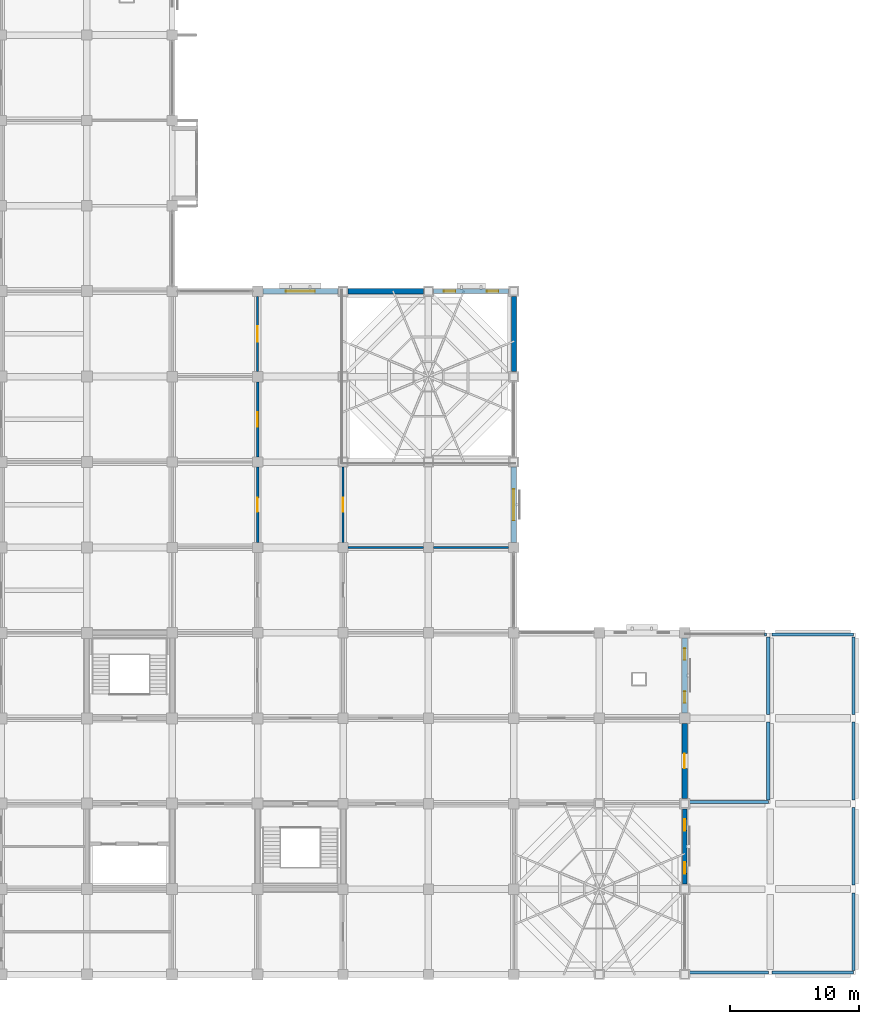
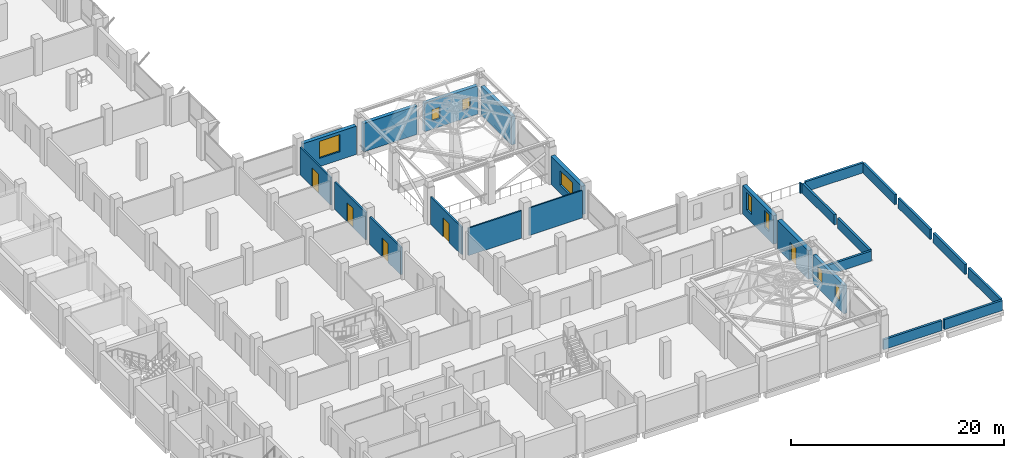
# One storey, part 17 of 25: 25 walls, 8 windows, 5 doors, 13 openings.
"""IFC4 building model written with IfcOpenShell, lengths in metres."""

from ifc_helpers import new_model, si_unit, direction, frame, frame_2d, origin, place, context, subcontext, project, spatial, rectangle, extrude, material, layer, layer_set, type_object, element, fill, save


model = new_model("IFC4")

# Units and contexts
model_context = context("Model", 3, precision=1e-05, world=origin(), true_north=direction((0.0, 1.0)))
body_context = subcontext(model_context, "Body", "Model", "MODEL_VIEW")
ifc_project = project(units=[si_unit("LENGTHUNIT", "METRE"), si_unit("AREAUNIT", "SQUARE_METRE"), si_unit("VOLUMEUNIT", "CUBIC_METRE"), si_unit("PLANEANGLEUNIT", "RADIAN"), si_unit("MASSUNIT", "GRAM", prefix="KILO")], contexts=[model_context])

# Site, building, storey
site_placement = place(None, origin())
site = spatial("IfcSite", under=ifc_project, at=site_placement, CompositionType="ELEMENT")
building_placement = place(site_placement, origin())
building = spatial("IfcBuilding", under=site, at=building_placement, Name="Rusizi Kubbe Research Institute", CompositionType="ELEMENT")
storey_placement = place(building_placement, frame((0.0, 0.0, 14.39990234375)))
storey = spatial("IfcBuildingStorey", under=building, at=storey_placement, Name="L03", CompositionType="ELEMENT", Elevation=14.39990234375)

# Wall, opening, door
ifc_material_1 = material(Name="Volcanic Basalt Ashlar Masonry", Category="masonry")
ifc_layer_1 = layer(ifc_material_1, 0.43994140625)
ifc_layer_set_1 = layer_set([ifc_layer_1], Name="Volcanic Basalt Ashlar Masonry")
wall_type_1 = type_object("IfcWallType", Name="EW-01", PredefinedType="SOLIDWALL", material=ifc_layer_set_1)
wall_1_placement = place(storey_placement, frame((66.0, 13.60009765625, 0.0), z_axis=(0.0, 0.0, 1.0), x_axis=(0.0, 1.0, 0.0)))
wall_1 = element("IfcWall", 1, at=wall_1_placement, inside=storey, type_object=wall_type_1, Name="Terrace Access Wall L03 V10-2", PredefinedType="SOLIDWALL", context=body_context, shape_type="SweptSolid", body=[
    extrude(rectangle(XDim=5.7998046875, YDim=0.43994140625, at=frame_2d((2.89990234375, 0.0))), origin(), (0.0, 0.0, 1.0), 3.260009765625),
])
opening_1_placement = place(wall_1_placement, frame((2.324951171875, 0.0, 0.0)))
opening_1 = element("IfcOpeningElement", 2, at=opening_1_placement, cuts=wall_1, Name="Opening D-39", PredefinedType="OPENING", context=body_context, shape_type="SweptSolid", body=[
    extrude(rectangle(XDim=1.14990234375, YDim=2.14990234375, at=frame_2d((0.574951171875, 1.074951171875))), frame((0.0, 0.22998046875, 0.0), z_axis=(0.0, -1.0, 0.0), x_axis=(1.0, 0.0, 0.0)), (0.0, 0.0, 1.0), 0.4599609375),
])
ifc_material_2 = material(Name="Insulated Steel and Laminated Safety Glass", Category="steel")
door_type_1 = type_object("IfcDoorType", Name="ED-09", OperationType="NOTDEFINED", PredefinedType="DOOR", material=ifc_material_2)
door_1_placement = place(opening_1_placement, origin())
door_1 = element("IfcDoor", 3, at=door_1_placement, inside=storey, type_object=door_type_1, Name="Roof Terrace Door L03-T04", OperationType="SINGLE_SWING_LEFT", OverallHeight=2.14990234375, OverallWidth=1.14990234375, PredefinedType="DOOR", context=body_context, shape_type="SweptSolid", body=[
    extrude(rectangle(XDim=1.14990234375, YDim=2.14990234375, at=frame_2d((0.574951171875, 1.074951171875))), frame((0.0, 0.02490234375, 0.0), z_axis=(0.0, -1.0, 0.0), x_axis=(1.0, 0.0, 0.0)), (0.0, 0.0, 1.0), 0.050048828125),
])
fill(opening_1, door_1)

# Wall, opening, window
ifc_material_3 = material(Name="Volcanic Basalt Ashlar Masonry", Category="masonry")
ifc_layer_2 = layer(ifc_material_3, 0.419921875)
ifc_layer_set_2 = layer_set([ifc_layer_2], Name="Volcanic Basalt Ashlar Masonry")
wall_type_2 = type_object("IfcWallType", Name="EW-02", PredefinedType="SOLIDWALL", material=ifc_layer_set_2)
wall_2_placement = place(storey_placement, frame((33.39990234375, 52.800048828125, 0.0), z_axis=(0.0, 0.0, 1.0), x_axis=(1.0, 0.0, 0.0)))
wall_2 = element("IfcWall", 4, at=wall_2_placement, inside=storey, type_object=wall_type_2, Name="Ablaq Stone Exterior Wall L03 H5-8", PredefinedType="SOLIDWALL", context=body_context, shape_type="SweptSolid", body=[
    extrude(rectangle(XDim=5.800048828125, YDim=0.419921875, at=frame_2d((2.89990234375, 0.0))), origin(), (0.0, 0.0, 1.0), 3.260009765625),
])
opening_2_placement = place(wall_2_placement, frame((1.780029296875, 0.0, 0.949951171875)))
opening_2 = element("IfcOpeningElement", 5, at=opening_2_placement, cuts=wall_2, Name="Opening WN-32", PredefinedType="OPENING", context=body_context, shape_type="SweptSolid", body=[
    extrude(rectangle(XDim=2.239990234375, YDim=1.9599609375, at=frame_2d((1.1201171875, 0.97998046875))), frame((0.0, 0.219970703125, 0.0), z_axis=(0.0, -1.0, 0.0), x_axis=(1.0, 0.0, 0.0)), (0.0, 0.0, 1.0), 0.43994140625),
])
ifc_material_4 = material(Name="Aluminium Frame and Solar-Control Double Glazing", Category="glass")
window_type_1 = type_object("IfcWindowType", Name="WN-32", PartitioningType="DOUBLE_PANEL_VERTICAL", PredefinedType="WINDOW", material=ifc_material_4)
window_1_placement = place(opening_2_placement, origin())
window_1 = element("IfcWindow", 6, at=window_1_placement, inside=storey, type_object=window_type_1, Name="Casement Window WN-32 L03", OverallHeight=1.9599609375, OverallWidth=2.239990234375, PartitioningType="DOUBLE_PANEL_VERTICAL", PredefinedType="WINDOW", context=body_context, shape_type="SweptSolid", body=[
    extrude(rectangle(XDim=2.239990234375, YDim=1.9599609375, at=frame_2d((1.1201171875, 0.97998046875))), frame((0.0, 0.030029296875, 0.0), z_axis=(0.0, -1.0, 0.0), x_axis=(1.0, 0.0, 0.0)), (0.0, 0.0, 1.0), 0.06005859375),
])
fill(opening_2, window_1)

wall_3_placement = place(storey_placement, frame((52.800048828125, 33.39990234375, 0.0), z_axis=(0.0, 0.0, 1.0), x_axis=(0.0, 1.0, 0.0)))
wall_3 = element("IfcWall", 7, at=wall_3_placement, inside=storey, type_object=wall_type_2, Name="Ablaq Stone Exterior Wall L03 V8-5", PredefinedType="SOLIDWALL", context=body_context, shape_type="SweptSolid", body=[
    extrude(rectangle(XDim=5.800048828125, YDim=0.419921875, at=frame_2d((2.89990234375, 0.0))), origin(), (0.0, 0.0, 1.0), 3.260009765625),
])
opening_3_placement = place(wall_3_placement, frame((1.68994140625, 0.0, 0.949951171875)))
opening_3 = element("IfcOpeningElement", 8, at=opening_3_placement, cuts=wall_3, Name="Opening WN-38", PredefinedType="OPENING", context=body_context, shape_type="SweptSolid", body=[
    extrude(rectangle(XDim=2.419921875, YDim=1.679931640625, at=frame_2d((1.2099609375, 0.83984375))), frame((0.0, 0.219970703125, 0.0), z_axis=(0.0, -1.0, 0.0), x_axis=(1.0, 0.0, 0.0)), (0.0, 0.0, 1.0), 0.43994140625),
])
ifc_material_5 = material(Name="Aluminium Frame and Solar-Control Double Glazing", Category="glass")
window_type_2 = type_object("IfcWindowType", Name="WN-38", PartitioningType="DOUBLE_PANEL_VERTICAL", PredefinedType="WINDOW", material=ifc_material_5)
window_2_placement = place(opening_3_placement, origin())
window_2 = element("IfcWindow", 9, at=window_2_placement, inside=storey, type_object=window_type_2, Name="Casement Window WN-38 L03", OverallHeight=1.679931640625, OverallWidth=2.419921875, PartitioningType="DOUBLE_PANEL_VERTICAL", PredefinedType="WINDOW", context=body_context, shape_type="SweptSolid", body=[
    extrude(rectangle(XDim=2.419921875, YDim=1.679931640625, at=frame_2d((1.2099609375, 0.83984375))), frame((0.0, 0.030029296875, 0.0), z_axis=(0.0, -1.0, 0.0), x_axis=(1.0, 0.0, 0.0)), (0.0, 0.0, 1.0), 0.06005859375),
])
fill(opening_3, window_2)

# Wall, openings, windows
wall_4_placement = place(storey_placement, frame((66.0, 20.199951171875, 0.0), z_axis=(0.0, 0.0, 1.0), x_axis=(0.0, 1.0, 0.0)))
wall_4 = element("IfcWall", 10, at=wall_4_placement, inside=storey, type_object=wall_type_2, Name="Ablaq Stone Exterior Wall L03 V10-3", PredefinedType="SOLIDWALL", context=body_context, shape_type="SweptSolid", body=[
    extrude(rectangle(XDim=5.800048828125, YDim=0.419921875, at=frame_2d((2.89990234375, 0.0))), origin(), (0.0, 0.0, 1.0), 3.260009765625),
])
opening_4_placement = place(wall_4_placement, frame((0.800048828125, 0.0, 0.949951171875)))
opening_4 = element("IfcOpeningElement", 11, at=opening_4_placement, cuts=wall_4, Name="Opening WN-04", PredefinedType="OPENING", context=body_context, shape_type="SweptSolid", body=[
    extrude(rectangle(XDim=0.8798828125, YDim=1.9599609375, at=frame_2d((0.43994140625, 0.97998046875))), frame((0.0, 0.219970703125, 0.0), z_axis=(0.0, -1.0, 0.0), x_axis=(1.0, 0.0, 0.0)), (0.0, 0.0, 1.0), 0.43994140625),
])
opening_5_placement = place(wall_4_placement, frame((4.1201171875, 0.0, 0.949951171875)))
opening_5 = element("IfcOpeningElement", 12, at=opening_5_placement, cuts=wall_4, Name="Opening WN-04", PredefinedType="OPENING", context=body_context, shape_type="SweptSolid", body=[
    extrude(rectangle(XDim=0.8798828125, YDim=1.9599609375, at=frame_2d((0.43994140625, 0.97998046875))), frame((0.0, 0.219970703125, 0.0), z_axis=(0.0, -1.0, 0.0), x_axis=(1.0, 0.0, 0.0)), (0.0, 0.0, 1.0), 0.43994140625),
])
ifc_material_6 = material(Name="Aluminium Frame and Solar-Control Double Glazing", Category="glass")
window_type_3 = type_object("IfcWindowType", Name="WN-04", PartitioningType="SINGLE_PANEL", PredefinedType="WINDOW", material=ifc_material_6)
window_3_placement = place(opening_4_placement, origin())
window_3 = element("IfcWindow", 13, at=window_3_placement, inside=storey, type_object=window_type_3, Name="Casement Window WN-04 L03", OverallHeight=1.9599609375, OverallWidth=0.8798828125, PartitioningType="SINGLE_PANEL", PredefinedType="WINDOW", context=body_context, shape_type="SweptSolid", body=[
    extrude(rectangle(XDim=0.8798828125, YDim=1.9599609375, at=frame_2d((0.43994140625, 0.97998046875))), frame((0.0, 0.030029296875, 0.0), z_axis=(0.0, -1.0, 0.0), x_axis=(1.0, 0.0, 0.0)), (0.0, 0.0, 1.0), 0.06005859375),
])
fill(opening_4, window_3)
window_4_placement = place(opening_5_placement, origin())
window_4 = element("IfcWindow", 14, at=window_4_placement, inside=storey, type_object=window_type_3, Name="Casement Window WN-04 L03", OverallHeight=1.9599609375, OverallWidth=0.8798828125, PartitioningType="SINGLE_PANEL", PredefinedType="WINDOW", context=body_context, shape_type="SweptSolid", body=[
    extrude(rectangle(XDim=0.8798828125, YDim=1.9599609375, at=frame_2d((0.43994140625, 0.97998046875))), frame((0.0, 0.030029296875, 0.0), z_axis=(0.0, -1.0, 0.0), x_axis=(1.0, 0.0, 0.0)), (0.0, 0.0, 1.0), 0.06005859375),
])
fill(opening_5, window_4)

# Wall
ifc_material_7 = material(Name="Volcanic Basalt Ashlar Masonry", Category="masonry")
ifc_layer_3 = layer(ifc_material_7, 0.39990234375)
ifc_layer_set_3 = layer_set([ifc_layer_3], Name="Volcanic Basalt Ashlar Masonry")
wall_type_3 = type_object("IfcWallType", Name="EW-03", PredefinedType="SOLIDWALL", material=ifc_layer_set_3)
wall_5_placement = place(storey_placement, frame((40.0, 52.800048828125, 0.0), z_axis=(0.0, 0.0, 1.0), x_axis=(1.0, 0.0, 0.0)))
element("IfcWall", 15, at=wall_5_placement, inside=storey, type_object=wall_type_3, Name="Ablaq Stone Exterior Wall L03 H6-8", PredefinedType="SOLIDWALL", context=body_context, shape_type="SweptSolid", body=[
    extrude(rectangle(XDim=5.800048828125, YDim=0.39990234375, at=frame_2d((2.89990234375, 0.0))), origin(), (0.0, 0.0, 1.0), 3.260009765625),
])

# Wall, openings, windows
ifc_material_8 = material(Name="Volcanic Basalt Ashlar Masonry", Category="masonry")
ifc_layer_4 = layer(ifc_material_8, 0.385009765625)
ifc_layer_set_4 = layer_set([ifc_layer_4], Name="Volcanic Basalt Ashlar Masonry")
wall_type_4 = type_object("IfcWallType", Name="EW-04", PredefinedType="SOLIDWALL", material=ifc_layer_set_4)
wall_6_placement = place(storey_placement, frame((46.60009765625, 52.800048828125, 0.0), z_axis=(0.0, 0.0, 1.0), x_axis=(1.0, 0.0, 0.0)))
wall_6 = element("IfcWall", 16, at=wall_6_placement, inside=storey, type_object=wall_type_4, Name="Ablaq Stone Exterior Wall L03 H7-8", PredefinedType="SOLIDWALL", context=body_context, shape_type="SweptSolid", body=[
    extrude(rectangle(XDim=5.7998046875, YDim=0.385009765625, at=frame_2d((2.89990234375, 0.0))), origin(), (0.0, 0.0, 1.0), 3.260009765625),
])
opening_6_placement = place(wall_6_placement, frame((0.800048828125, 0.0, 0.949951171875)))
opening_6 = element("IfcOpeningElement", 17, at=opening_6_placement, cuts=wall_6, Name="Opening WN-01", PredefinedType="OPENING", context=body_context, shape_type="SweptSolid", body=[
    extrude(rectangle(XDim=0.8798828125, YDim=1.300048828125, at=frame_2d((0.43994140625, 0.64990234375))), frame((0.0, 0.202392578125, 0.0), z_axis=(0.0, -1.0, 0.0), x_axis=(1.0, 0.0, 0.0)), (0.0, 0.0, 1.0), 0.405029296875),
])
opening_7_placement = place(wall_6_placement, frame((4.1201171875, 0.0, 0.949951171875)))
opening_7 = element("IfcOpeningElement", 18, at=opening_7_placement, cuts=wall_6, Name="Opening WN-01", PredefinedType="OPENING", context=body_context, shape_type="SweptSolid", body=[
    extrude(rectangle(XDim=0.8798828125, YDim=1.300048828125, at=frame_2d((0.43994140625, 0.64990234375))), frame((0.0, 0.202392578125, 0.0), z_axis=(0.0, -1.0, 0.0), x_axis=(1.0, 0.0, 0.0)), (0.0, 0.0, 1.0), 0.405029296875),
])
ifc_material_9 = material(Name="Aluminium Frame and Solar-Control Double Glazing", Category="glass")
window_type_4 = type_object("IfcWindowType", Name="WN-01", PartitioningType="SINGLE_PANEL", PredefinedType="WINDOW", material=ifc_material_9)
window_5_placement = place(opening_6_placement, origin())
window_5 = element("IfcWindow", 19, at=window_5_placement, inside=storey, type_object=window_type_4, Name="Casement Window WN-01 L03", OverallHeight=1.300048828125, OverallWidth=0.8798828125, PartitioningType="SINGLE_PANEL", PredefinedType="WINDOW", context=body_context, shape_type="SweptSolid", body=[
    extrude(rectangle(XDim=0.8798828125, YDim=1.300048828125, at=frame_2d((0.43994140625, 0.64990234375))), frame((0.0, 0.030029296875, 0.0), z_axis=(0.0, -1.0, 0.0), x_axis=(1.0, 0.0, 0.0)), (0.0, 0.0, 1.0), 0.06005859375),
])
fill(opening_6, window_5)
window_6_placement = place(opening_7_placement, origin())
window_6 = element("IfcWindow", 20, at=window_6_placement, inside=storey, type_object=window_type_4, Name="Casement Window WN-01 L03", OverallHeight=1.300048828125, OverallWidth=0.8798828125, PartitioningType="SINGLE_PANEL", PredefinedType="WINDOW", context=body_context, shape_type="SweptSolid", body=[
    extrude(rectangle(XDim=0.8798828125, YDim=1.300048828125, at=frame_2d((0.43994140625, 0.64990234375))), frame((0.0, 0.030029296875, 0.0), z_axis=(0.0, -1.0, 0.0), x_axis=(1.0, 0.0, 0.0)), (0.0, 0.0, 1.0), 0.06005859375),
])
fill(opening_7, window_6)

# Wall
wall_7_placement = place(storey_placement, frame((52.800048828125, 46.60009765625, 0.0), z_axis=(0.0, 0.0, 1.0), x_axis=(0.0, 1.0, 0.0)))
element("IfcWall", 21, at=wall_7_placement, inside=storey, type_object=wall_type_4, Name="Ablaq Stone Exterior Wall L03 V8-7", PredefinedType="SOLIDWALL", context=body_context, shape_type="SweptSolid", body=[
    extrude(rectangle(XDim=5.7998046875, YDim=0.385009765625, at=frame_2d((2.89990234375, 0.0))), origin(), (0.0, 0.0, 1.0), 3.260009765625),
])

# Wall, openings, windows
ifc_material_10 = material(Name="Volcanic Basalt Ashlar Masonry", Category="masonry")
ifc_layer_5 = layer(ifc_material_10, 0.324951171875)
ifc_layer_set_5 = layer_set([ifc_layer_5], Name="Volcanic Basalt Ashlar Masonry")
wall_type_5 = type_object("IfcWallType", Name="EW-08", PredefinedType="SOLIDWALL", material=ifc_layer_set_5)
wall_8_placement = place(storey_placement, frame((66.0, 7.0, 0.0), z_axis=(0.0, 0.0, 1.0), x_axis=(0.0, 1.0, 0.0)))
wall_8 = element("IfcWall", 22, at=wall_8_placement, inside=storey, type_object=wall_type_5, Name="Ablaq Stone Exterior Wall L03 V10-1", PredefinedType="SOLIDWALL", context=body_context, shape_type="SweptSolid", body=[
    extrude(rectangle(XDim=5.800048828125, YDim=0.324951171875, at=frame_2d((2.89990234375, 0.0))), origin(), (0.0, 0.0, 1.0), 3.260009765625),
])
opening_8_placement = place(wall_8_placement, frame((0.800048828125, 0.0, 0.949951171875)))
opening_8 = element("IfcOpeningElement", 23, at=opening_8_placement, cuts=wall_8, Name="Opening WN-02", PredefinedType="OPENING", context=body_context, shape_type="SweptSolid", body=[
    extrude(rectangle(XDim=0.8798828125, YDim=1.52001953125, at=frame_2d((0.43994140625, 0.760009765625))), frame((0.0, 0.17236328125, 0.0), z_axis=(0.0, -1.0, 0.0), x_axis=(1.0, 0.0, 0.0)), (0.0, 0.0, 1.0), 0.344970703125),
])
opening_9_placement = place(wall_8_placement, frame((4.1201171875, 0.0, 0.949951171875)))
opening_9 = element("IfcOpeningElement", 24, at=opening_9_placement, cuts=wall_8, Name="Opening WN-02", PredefinedType="OPENING", context=body_context, shape_type="SweptSolid", body=[
    extrude(rectangle(XDim=0.8798828125, YDim=1.52001953125, at=frame_2d((0.43994140625, 0.760009765625))), frame((0.0, 0.17236328125, 0.0), z_axis=(0.0, -1.0, 0.0), x_axis=(1.0, 0.0, 0.0)), (0.0, 0.0, 1.0), 0.344970703125),
])
ifc_material_11 = material(Name="Aluminium Frame and Solar-Control Double Glazing", Category="glass")
window_type_5 = type_object("IfcWindowType", Name="WN-02", PartitioningType="SINGLE_PANEL", PredefinedType="WINDOW", material=ifc_material_11)
window_7_placement = place(opening_8_placement, origin())
window_7 = element("IfcWindow", 25, at=window_7_placement, inside=storey, type_object=window_type_5, Name="Casement Window WN-02 L03", OverallHeight=1.52001953125, OverallWidth=0.8798828125, PartitioningType="SINGLE_PANEL", PredefinedType="WINDOW", context=body_context, shape_type="SweptSolid", body=[
    extrude(rectangle(XDim=0.8798828125, YDim=1.52001953125, at=frame_2d((0.43994140625, 0.760009765625))), frame((0.0, 0.030029296875, 0.0), z_axis=(0.0, -1.0, 0.0), x_axis=(1.0, 0.0, 0.0)), (0.0, 0.0, 1.0), 0.06005859375),
])
fill(opening_8, window_7)
window_8_placement = place(opening_9_placement, origin())
window_8 = element("IfcWindow", 26, at=window_8_placement, inside=storey, type_object=window_type_5, Name="Casement Window WN-02 L03", OverallHeight=1.52001953125, OverallWidth=0.8798828125, PartitioningType="SINGLE_PANEL", PredefinedType="WINDOW", context=body_context, shape_type="SweptSolid", body=[
    extrude(rectangle(XDim=0.8798828125, YDim=1.52001953125, at=frame_2d((0.43994140625, 0.760009765625))), frame((0.0, 0.030029296875, 0.0), z_axis=(0.0, -1.0, 0.0), x_axis=(1.0, 0.0, 0.0)), (0.0, 0.0, 1.0), 0.06005859375),
])
fill(opening_9, window_8)

# Wall, opening, door
ifc_material_12 = material(Name="Insulated Cleanroom Partition", Category="masonry")
ifc_layer_6 = layer(ifc_material_12, 0.195068359375)
ifc_layer_set_6 = layer_set([ifc_layer_6], Name="Insulated Cleanroom Partition")
wall_type_6 = type_object("IfcWallType", Name="IW-02", PredefinedType="PARTITIONING", material=ifc_layer_set_6)
wall_9_placement = place(storey_placement, frame((33.0, 33.39990234375, 0.0), z_axis=(0.0, 0.0, 1.0), x_axis=(0.0, 1.0, 0.0)))
wall_9 = element("IfcWall", 27, at=wall_9_placement, inside=storey, type_object=wall_type_6, Name="Interior Partition Wall L03 V5-5", PredefinedType="PARTITIONING", context=body_context, shape_type="SweptSolid", body=[
    extrude(rectangle(XDim=5.800048828125, YDim=0.195068359375, at=frame_2d((2.89990234375, 0.0))), origin(), (0.0, 0.0, 1.0), 3.16015625),
])
opening_10_placement = place(wall_9_placement, frame((2.360107421875, 0.0, 0.0)))
opening_10 = element("IfcOpeningElement", 28, at=opening_10_placement, cuts=wall_9, Name="Opening D-17", PredefinedType="OPENING", context=body_context, shape_type="SweptSolid", body=[
    extrude(rectangle(XDim=1.080078125, YDim=2.14990234375, at=frame_2d((0.5400390625, 1.074951171875))), frame((0.0, 0.107421875, 0.0), z_axis=(0.0, -1.0, 0.0), x_axis=(1.0, 0.0, 0.0)), (0.0, 0.0, 1.0), 0.215087890625),
])
ifc_material_13 = material(Name="Fire-Rated Steel Frame and Acoustic Timber Leaf", Category="wood")
door_type_2 = type_object("IfcDoorType", Name="ID-OFF-108", OperationType="NOTDEFINED", PredefinedType="DOOR", material=ifc_material_13)
door_2_placement = place(opening_10_placement, origin())
door_2 = element("IfcDoor", 29, at=door_2_placement, inside=storey, type_object=door_type_2, Name="Door to Write-up Office (L03-ELBW-05)", OperationType="SINGLE_SWING_RIGHT", OverallHeight=2.14990234375, OverallWidth=1.080078125, PredefinedType="DOOR", context=body_context, shape_type="SweptSolid", body=[
    extrude(rectangle(XDim=1.080078125, YDim=2.14990234375, at=frame_2d((0.5400390625, 1.074951171875))), frame((0.0, 0.02490234375, 0.0), z_axis=(0.0, -1.0, 0.0), x_axis=(1.0, 0.0, 0.0)), (0.0, 0.0, 1.0), 0.050048828125),
])
fill(opening_10, door_2)

ifc_material_14 = material(Name="Acoustic Laboratory Partition", Category="masonry")
ifc_layer_7 = layer(ifc_material_14, 0.175048828125)
ifc_layer_set_7 = layer_set([ifc_layer_7], Name="Acoustic Laboratory Partition")
wall_type_7 = type_object("IfcWallType", Name="IW-03", PredefinedType="PARTITIONING", material=ifc_layer_set_7)
wall_10_placement = place(storey_placement, frame((33.0, 40.0, 0.0), z_axis=(0.0, 0.0, 1.0), x_axis=(0.0, 1.0, 0.0)))
wall_10 = element("IfcWall", 30, at=wall_10_placement, inside=storey, type_object=wall_type_7, Name="Interior Partition Wall L03 V5-6", PredefinedType="PARTITIONING", context=body_context, shape_type="SweptSolid", body=[
    extrude(rectangle(XDim=5.800048828125, YDim=0.175048828125, at=frame_2d((2.89990234375, 0.0))), origin(), (0.0, 0.0, 1.0), 3.16015625),
])
opening_11_placement = place(wall_10_placement, frame((2.340087890625, 0.0, 0.0)))
opening_11 = element("IfcOpeningElement", 31, at=opening_11_placement, cuts=wall_10, Name="Opening D-18", PredefinedType="OPENING", context=body_context, shape_type="SweptSolid", body=[
    extrude(rectangle(XDim=1.1201171875, YDim=2.199951171875, at=frame_2d((0.56005859375, 1.10009765625))), frame((0.0, 0.097412109375, 0.0), z_axis=(0.0, -1.0, 0.0), x_axis=(1.0, 0.0, 0.0)), (0.0, 0.0, 1.0), 0.195068359375),
])
ifc_material_15 = material(Name="Fire-Rated Steel Frame and Acoustic Timber Leaf", Category="wood")
door_type_3 = type_object("IfcDoorType", Name="ID-OFF-112", OperationType="NOTDEFINED", PredefinedType="DOOR", material=ifc_material_15)
door_3_placement = place(opening_11_placement, origin())
door_3 = element("IfcDoor", 32, at=door_3_placement, inside=storey, type_object=door_type_3, Name="Door to Write-up Office (L03-ELBW-06)", OperationType="SINGLE_SWING_LEFT", OverallHeight=2.199951171875, OverallWidth=1.1201171875, PredefinedType="DOOR", context=body_context, shape_type="SweptSolid", body=[
    extrude(rectangle(XDim=1.1201171875, YDim=2.199951171875, at=frame_2d((0.56005859375, 1.10009765625))), frame((0.0, 0.02490234375, 0.0), z_axis=(0.0, -1.0, 0.0), x_axis=(1.0, 0.0, 0.0)), (0.0, 0.0, 1.0), 0.050048828125),
])
fill(opening_11, door_3)

wall_11_placement = place(storey_placement, frame((39.60009765625, 33.39990234375, 0.0), z_axis=(0.0, 0.0, 1.0), x_axis=(0.0, 1.0, 0.0)))
wall_11 = element("IfcWall", 33, at=wall_11_placement, inside=storey, type_object=wall_type_7, Name="Interior Partition Wall L03 V6-5", PredefinedType="PARTITIONING", context=body_context, shape_type="SweptSolid", body=[
    extrude(rectangle(XDim=5.800048828125, YDim=0.175048828125, at=frame_2d((2.89990234375, 0.0))), origin(), (0.0, 0.0, 1.0), 3.16015625),
])
opening_12_placement = place(wall_11_placement, frame((2.360107421875, 0.0, 0.0)))
opening_12 = element("IfcOpeningElement", 34, at=opening_12_placement, cuts=wall_11, Name="Opening D-17", PredefinedType="OPENING", context=body_context, shape_type="SweptSolid", body=[
    extrude(rectangle(XDim=1.080078125, YDim=2.14990234375, at=frame_2d((0.5400390625, 1.074951171875))), frame((0.0, 0.097412109375, 0.0), z_axis=(0.0, -1.0, 0.0), x_axis=(1.0, 0.0, 0.0)), (0.0, 0.0, 1.0), 0.195068359375),
])
door_4_placement = place(opening_12_placement, origin())
door_4 = element("IfcDoor", 35, at=door_4_placement, inside=storey, type_object=door_type_2, Name="Door to Write-up Office (L03-ELBE-05)", OperationType="SINGLE_SWING_RIGHT", OverallHeight=2.14990234375, OverallWidth=1.080078125, PredefinedType="DOOR", context=body_context, shape_type="SweptSolid", body=[
    extrude(rectangle(XDim=1.080078125, YDim=2.14990234375, at=frame_2d((0.5400390625, 1.074951171875))), frame((0.0, 0.02490234375, 0.0), z_axis=(0.0, -1.0, 0.0), x_axis=(1.0, 0.0, 0.0)), (0.0, 0.0, 1.0), 0.050048828125),
])
fill(opening_12, door_4)

ifc_material_16 = material(Name="Fire-Rated Corridor Partition", Category="masonry")
ifc_layer_8 = layer(ifc_material_16, 0.155029296875)
ifc_layer_set_8 = layer_set([ifc_layer_8], Name="Fire-Rated Corridor Partition")
wall_type_8 = type_object("IfcWallType", Name="IW-04", PredefinedType="PARTITIONING", material=ifc_layer_set_8)
wall_12_placement = place(storey_placement, frame((33.0, 46.60009765625, 0.0), z_axis=(0.0, 0.0, 1.0), x_axis=(0.0, 1.0, 0.0)))
wall_12 = element("IfcWall", 36, at=wall_12_placement, inside=storey, type_object=wall_type_8, Name="Interior Partition Wall L03 V5-7", PredefinedType="PARTITIONING", context=body_context, shape_type="SweptSolid", body=[
    extrude(rectangle(XDim=5.7998046875, YDim=0.155029296875, at=frame_2d((2.89990234375, 0.0))), origin(), (0.0, 0.0, 1.0), 3.16015625),
])
opening_13_placement = place(wall_12_placement, frame((2.31005859375, 0.0, 0.0)))
opening_13 = element("IfcOpeningElement", 37, at=opening_13_placement, cuts=wall_12, Name="Opening D-19", PredefinedType="OPENING", context=body_context, shape_type="SweptSolid", body=[
    extrude(rectangle(XDim=1.179931640625, YDim=2.199951171875, at=frame_2d((0.58984375, 1.10009765625))), frame((0.0, 0.08740234375, 0.0), z_axis=(0.0, -1.0, 0.0), x_axis=(1.0, 0.0, 0.0)), (0.0, 0.0, 1.0), 0.175048828125),
])
ifc_material_17 = material(Name="Fire-Rated Steel Frame and Acoustic Timber Leaf", Category="wood")
door_type_4 = type_object("IfcDoorType", Name="ID-OFF-118", OperationType="NOTDEFINED", PredefinedType="DOOR", material=ifc_material_17)
door_5_placement = place(opening_13_placement, origin())
door_5 = element("IfcDoor", 38, at=door_5_placement, inside=storey, type_object=door_type_4, Name="Door to Write-up Office (L03-ELBW-07)", OperationType="SINGLE_SWING_RIGHT", OverallHeight=2.199951171875, OverallWidth=1.179931640625, PredefinedType="DOOR", context=body_context, shape_type="SweptSolid", body=[
    extrude(rectangle(XDim=1.179931640625, YDim=2.199951171875, at=frame_2d((0.58984375, 1.10009765625))), frame((0.0, 0.02490234375, 0.0), z_axis=(0.0, -1.0, 0.0), x_axis=(1.0, 0.0, 0.0)), (0.0, 0.0, 1.0), 0.050048828125),
])
fill(opening_13, door_5)

# Walls
wall_13_placement = place(storey_placement, frame((40.0, 33.0, 0.0), z_axis=(0.0, 0.0, 1.0), x_axis=(1.0, 0.0, 0.0)))
element("IfcWall", 39, at=wall_13_placement, inside=storey, type_object=wall_type_8, Name="Interior Partition Wall L03 H6-5", PredefinedType="PARTITIONING", context=body_context, shape_type="SweptSolid", body=[
    extrude(rectangle(XDim=5.800048828125, YDim=0.155029296875, at=frame_2d((2.89990234375, 0.0))), origin(), (0.0, 0.0, 1.0), 3.16015625),
])
ifc_material_18 = material(Name="Write-up Glazed Acoustic Partition", Category="masonry")
ifc_layer_9 = layer(ifc_material_18, 0.139892578125)
ifc_layer_set_9 = layer_set([ifc_layer_9], Name="Write-up Glazed Acoustic Partition")
wall_type_9 = type_object("IfcWallType", Name="IW-05", PredefinedType="PARTITIONING", material=ifc_layer_set_9)
wall_14_placement = place(storey_placement, frame((46.60009765625, 33.0, 0.0), z_axis=(0.0, 0.0, 1.0), x_axis=(1.0, 0.0, 0.0)))
element("IfcWall", 40, at=wall_14_placement, inside=storey, type_object=wall_type_9, Name="Interior Partition Wall L03 H7-5", PredefinedType="PARTITIONING", context=body_context, shape_type="SweptSolid", body=[
    extrude(rectangle(XDim=5.7998046875, YDim=0.139892578125, at=frame_2d((2.89990234375, 0.0))), origin(), (0.0, 0.0, 1.0), 3.16015625),
])
ifc_material_19 = material(Name="Volcanic Basalt Ashlar Masonry", Category="masonry")
ifc_layer_10 = layer(ifc_material_19, 0.239990234375)
ifc_layer_set_10 = layer_set([ifc_layer_10], Name="Volcanic Basalt Ashlar Masonry")
wall_type_10 = type_object("IfcWallType", Name="PRP-01", PredefinedType="PARAPET", material=ifc_layer_set_10)
wall_15_placement = place(storey_placement, frame((66.139892578125, 13.340087890625, 0.0), z_axis=(0.0, 0.0, 1.0), x_axis=(1.0, 0.0, 0.0)))
element("IfcWall", 41, at=wall_15_placement, inside=storey, type_object=wall_type_10, Name="Terrace Divider Parapet Wall L03-006", PredefinedType="PARAPET", context=body_context, shape_type="SweptSolid", body=[
    extrude(rectangle(XDim=6.320068359375, YDim=0.239990234375, at=frame_2d((3.16015625, 0.0))), origin(), (0.0, 0.0, 1.0), 1.150146484375),
])
for number, where, z_axis, x_axis, name in (
    (42, (72.4599609375, 13.5, 0.0), (0.0, 0.0, 1.0), (0.0, 1.0, 0.0), "Terrace Divider Parapet Wall L03-007"),
    (43, (72.4599609375, 20.10009765625, 0.0), (0.0, 0.0, 1.0), (0.0, 1.0, 0.0), "Terrace Divider Parapet Wall L03-008"),
):
    element("IfcWall", number, at=place(storey_placement, frame(where, z_axis=z_axis, x_axis=x_axis)), inside=storey, type_object=wall_type_10, Name=name, PredefinedType="PARAPET", context=body_context, shape_type="SweptSolid", body=[
        extrude(rectangle(XDim=6.0, YDim=0.239990234375, at=frame_2d((3.0, 0.0))), origin(), (0.0, 0.0, 1.0), 1.150146484375),
    ])
wall_16_placement = place(storey_placement, frame((72.159912109375, 26.260009765625, 0.0), z_axis=(0.0, 0.0, 1.0), x_axis=(1.0, 0.0, 0.0)))
element("IfcWall", 44, at=wall_16_placement, inside=storey, type_object=wall_type_10, Name="Terrace Corner Parapet L03-009", PredefinedType="PARAPET", context=body_context, shape_type="SweptSolid", body=[
    extrude(rectangle(XDim=0.16015625, YDim=0.239990234375, at=frame_2d((0.080078125, 0.0))), origin(), (0.0, 0.0, 1.0), 1.150146484375),
])
for number, where, z_axis, x_axis, name in (
    (45, (66.139892578125, 0.139892578125, 0.0), (0.0, 0.0, 1.0), (1.0, 0.0, 0.0), "Roof Parapet Wall L03-015"),
    (46, (72.739990234375, 0.139892578125, 0.0), (0.0, 0.0, 1.0), (1.0, 0.0, 0.0), "Roof Parapet Wall L03-016"),
):
    element("IfcWall", number, at=place(storey_placement, frame(where, z_axis=z_axis, x_axis=x_axis)), inside=storey, type_object=wall_type_10, Name=name, PredefinedType="PARAPET", context=body_context, shape_type="SweptSolid", body=[
        extrude(rectangle(XDim=6.320068359375, YDim=0.239990234375, at=frame_2d((3.16015625, 0.0))), origin(), (0.0, 0.0, 1.0), 1.150146484375),
    ])
for number, where, z_axis, x_axis, name in (
    (47, (79.06005859375, 0.300048828125, 0.0), (0.0, 0.0, 1.0), (0.0, 1.0, 0.0), "Roof Parapet Wall L03-017"),
    (48, (79.06005859375, 6.89990234375, 0.0), (0.0, 0.0, 1.0), (0.0, 1.0, 0.0), "Roof Parapet Wall L03-018"),
    (49, (79.06005859375, 13.5, 0.0), (0.0, 0.0, 1.0), (0.0, 1.0, 0.0), "Roof Parapet Wall L03-019"),
):
    element("IfcWall", number, at=place(storey_placement, frame(where, z_axis=z_axis, x_axis=x_axis)), inside=storey, type_object=wall_type_10, Name=name, PredefinedType="PARAPET", context=body_context, shape_type="SweptSolid", body=[
        extrude(rectangle(XDim=6.0, YDim=0.239990234375, at=frame_2d((3.0, 0.0))), origin(), (0.0, 0.0, 1.0), 1.150146484375),
    ])
wall_17_placement = place(storey_placement, frame((72.739990234375, 26.260009765625, 0.0), z_axis=(0.0, 0.0, 1.0), x_axis=(1.0, 0.0, 0.0)))
element("IfcWall", 50, at=wall_17_placement, inside=storey, type_object=wall_type_10, Name="Roof Parapet Wall L03-020", PredefinedType="PARAPET", context=body_context, shape_type="SweptSolid", body=[
    extrude(rectangle(XDim=6.320068359375, YDim=0.239990234375, at=frame_2d((3.16015625, 0.0))), origin(), (0.0, 0.0, 1.0), 1.150146484375),
])
wall_18_placement = place(storey_placement, frame((79.06005859375, 20.10009765625, 0.0), z_axis=(0.0, 0.0, 1.0), x_axis=(0.0, 1.0, 0.0)))
element("IfcWall", 51, at=wall_18_placement, inside=storey, type_object=wall_type_10, Name="Roof Parapet Wall L03-021", PredefinedType="PARAPET", context=body_context, shape_type="SweptSolid", body=[
    extrude(rectangle(XDim=6.0, YDim=0.239990234375, at=frame_2d((3.0, 0.0))), origin(), (0.0, 0.0, 1.0), 1.150146484375),
])

save(model, "model.ifc")
